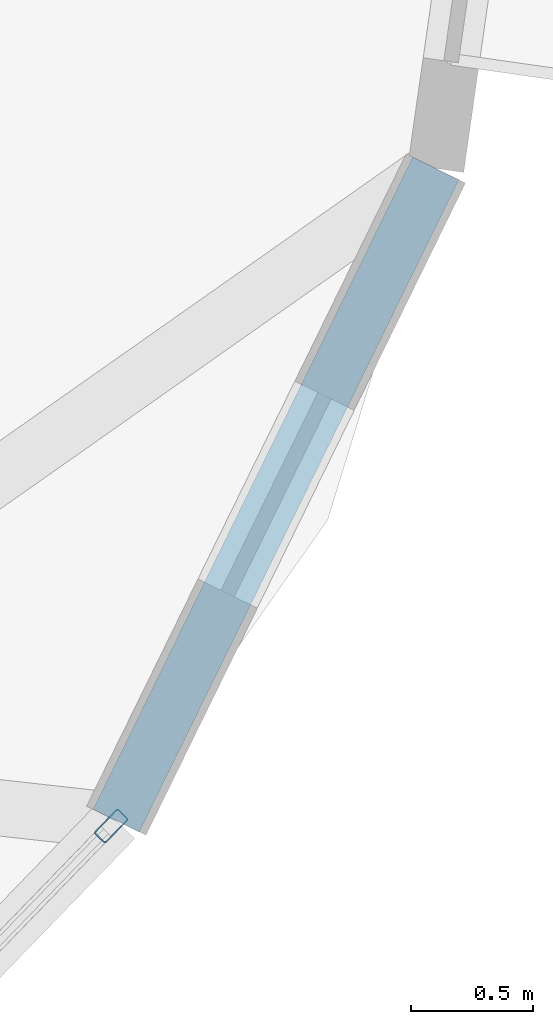
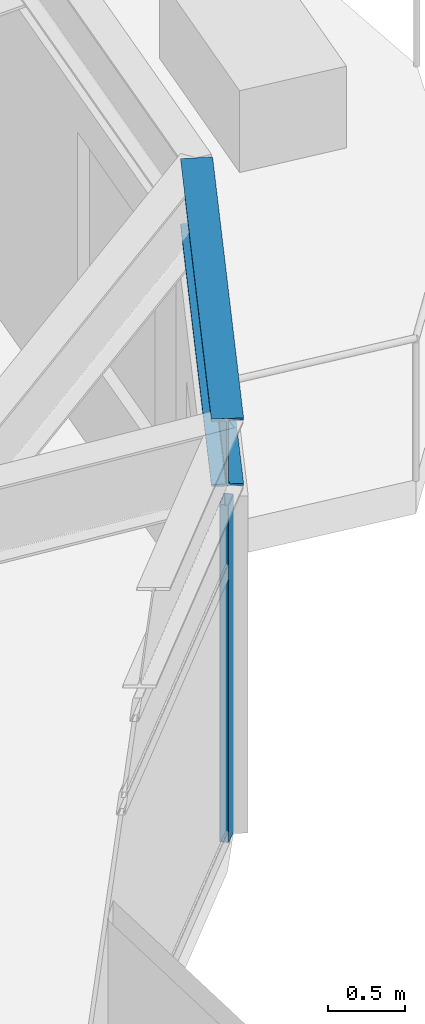
# One storey, part 13 of 28: 1 beam, 1 member, 1 element without a shape of its own.
"""IFC4 building model written with IfcOpenShell, lengths in metres."""

from ifc_helpers import new_model, si_unit, direction, frame, origin, origin_2d, place, context, subcontext, project, spatial, hollow_rectangle, i_section, extrude, material, layer, layer_set, material_profile, profile_set, type_object, element, aggregate, save


model = new_model("IFC4")

# Units and contexts
model_context = context("Model", 3, precision=1e-05, world=origin(), true_north=direction((0.0, 1.0)))
body_context = subcontext(model_context, "Body", "Model", "MODEL_VIEW")
ifc_project = project(units=[si_unit("LENGTHUNIT", "METRE"), si_unit("AREAUNIT", "SQUARE_METRE"), si_unit("VOLUMEUNIT", "CUBIC_METRE"), si_unit("PLANEANGLEUNIT", "RADIAN"), si_unit("MASSUNIT", "GRAM", prefix="KILO")], contexts=[model_context])

# Site, building, storey
site_placement = place(None, origin())
site = spatial("IfcSite", under=ifc_project, at=site_placement, CompositionType="ELEMENT")
building_placement = place(site_placement, origin())
building = spatial("IfcBuilding", under=site, at=building_placement, Name="Soratama Intermodal Tower", CompositionType="ELEMENT")
storey_placement = place(building_placement, frame((0.0, 0.0, 201.39990234375)))
storey = spatial("IfcBuildingStorey", under=building, at=storey_placement, Name="L50", CompositionType="ELEMENT", Elevation=201.39990234375)

# Beam
ifc_material_1 = material(Name="Structural steel ASTM A992 Grade 50", Category="steel")
ifc_material_profile_1 = material_profile(ifc_material_1, i_section(OverallWidth=0.2099609375, OverallDepth=0.537109375, WebThickness=0.010986328125, FlangeThickness=0.017333984375, FilletRadius=0.012939453125, at=origin_2d()), Name="W21X68")
ifc_profile_set_1 = profile_set([ifc_material_profile_1], Name="Structural steel ASTM A992 Grade 50")
beam_type = type_object("IfcBeamType", Name="BM-SPN-W21X68", PredefinedType="SPANDREL", material=ifc_profile_set_1)
beam_placement = place(storey_placement, frame((62.430908203125, 14.80908203125, 3.031494140625), z_axis=(0.439989364202, 0.898002984065, 0.0), x_axis=(-0.898002984065, 0.439989364202, 0.0)))
element("IfcBeam", 1, at=beam_placement, inside=storey, type_object=beam_type, Name="BS-L50-CRN08", PredefinedType="SPANDREL", context=body_context, shape_type="SweptSolid", body=[
    extrude(i_section(OverallWidth=0.2099609375, OverallDepth=0.537109375, WebThickness=0.010986328125, FlangeThickness=0.017333984375, FilletRadius=0.012939453125, at=origin_2d()), origin(), (0.0, 0.0, 1.0), 2.96630859375),
])

# Curtain wall, member
ifc_material_2 = material(Name="Double-glazed aluminium curtain wall", Category="aluminium")
ifc_layer = layer(ifc_material_2, 0.159912109375)
ifc_layer_set = layer_set([ifc_layer], Name="Double-glazed aluminium curtain wall")
curtain_wall_type = type_object("IfcCurtainWallType", Name="CW-SYS-5", PredefinedType="NOTDEFINED", material=ifc_layer_set)
curtain_wall_placement = place(storey_placement, origin())
curtain_wall = element("IfcCurtainWall", 2, at=curtain_wall_placement, inside=storey, type_object=curtain_wall_type, Name="L50 Faceted Curtain Wall F08", PredefinedType="NOTDEFINED")
ifc_material_3 = material(Name="Anodised aluminium AA 6063-T6", Category="aluminium")
ifc_material_profile_2 = material_profile(ifc_material_3, hollow_rectangle(XDim=0.06494140625, YDim=0.139892578125, WallThickness=0.0048828125, InnerFilletRadius=0.0048828125, OuterFilletRadius=0.010009765625, at=origin_2d()), Name="CWM140X65X5")
ifc_profile_set_2 = profile_set([ifc_material_profile_2], Name="Anodised aluminium AA 6063-T6")
member_type = type_object("IfcMemberType", Name="MT-CWM-5", PredefinedType="MULLION", material=ifc_profile_set_2)
member_placement = place(storey_placement, frame((62.410400390625, 14.787353515625, 0.0), z_axis=(0.0, 0.0, 1.0), x_axis=(-0.718126949297, 0.695912124261, 0.0)))
member = element("IfcMember", 3, at=member_placement, type_object=member_type, Name="CW-5 mullion 3", PredefinedType="MULLION", context=body_context, shape_type="SweptSolid", body=[
    extrude(hollow_rectangle(XDim=0.06494140625, YDim=0.139892578125, WallThickness=0.0048828125, InnerFilletRadius=0.0048828125, OuterFilletRadius=0.010009765625, at=origin_2d()), origin(), (0.0, 0.0, 1.0), 2.67919921875),
])
aggregate(curtain_wall, [member])

save(model, "model.ifc")
